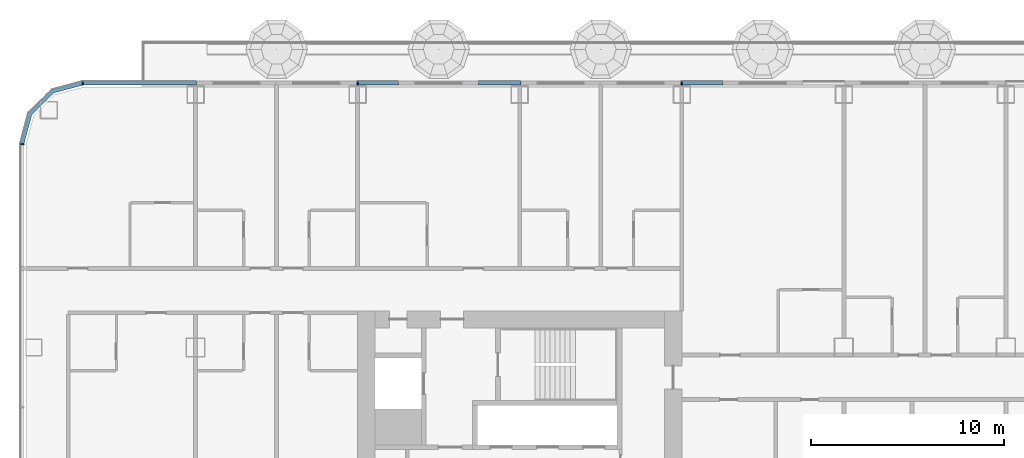
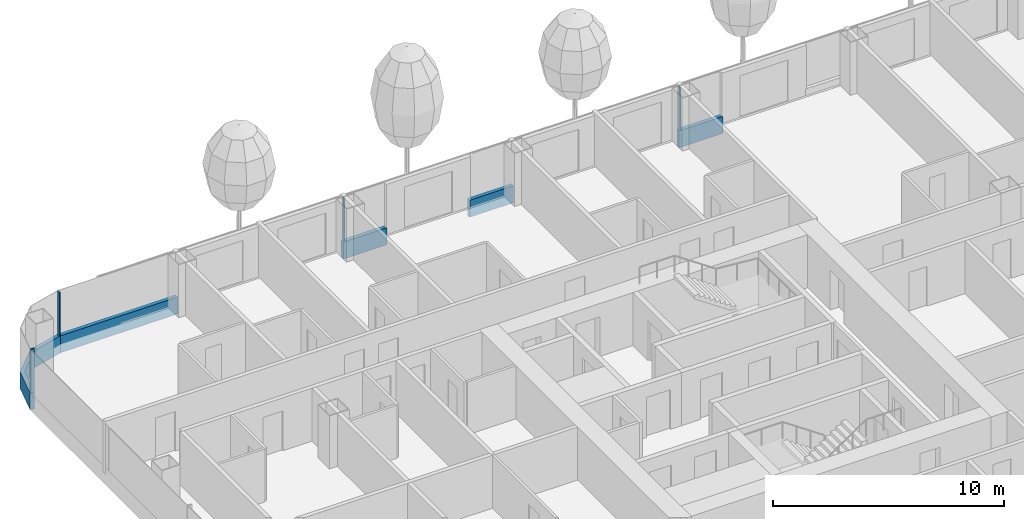
# One storey, part 6 of 36: 9 members, 3 elements without a shape of their own.
"""IFC4 building model written with IfcOpenShell, lengths in metres."""

from ifc_helpers import new_model, si_unit, direction, frame, origin, origin_2d, place, context, subcontext, project, spatial, polyline, rectangle, outline, extrude, material, layer, layer_set, material_profile, profile_set, type_object, element, aggregate, save


model = new_model("IFC4")

# Units and contexts
model_context = context("Model", 3, precision=1e-05, world=origin(), true_north=direction((0.0, 1.0)))
body_context = subcontext(model_context, "Body", "Model", "MODEL_VIEW")
ifc_project = project(units=[si_unit("LENGTHUNIT", "METRE"), si_unit("AREAUNIT", "SQUARE_METRE"), si_unit("VOLUMEUNIT", "CUBIC_METRE"), si_unit("PLANEANGLEUNIT", "RADIAN"), si_unit("MASSUNIT", "GRAM", prefix="KILO")], contexts=[model_context])

# Site, building, storey
site_placement = place(None, origin())
site = spatial("IfcSite", under=ifc_project, at=site_placement, CompositionType="ELEMENT")
building_placement = place(site_placement, origin())
building = spatial("IfcBuilding", under=site, at=building_placement, Name="Hakoniwa Tower and Hamabe Station Hall", CompositionType="ELEMENT")
storey_placement = place(building_placement, frame((0.0, 0.0, 26.199951171875)))
storey = spatial("IfcBuildingStorey", under=building, at=storey_placement, Name="L06", CompositionType="ELEMENT", Elevation=26.199951171875)

# Curtain wall, members
ifc_material_1 = material(Name="Dark low-e laminated glass", Category="glass")
ifc_layer = layer(ifc_material_1, 0.199951171875)
ifc_layer_set = layer_set([ifc_layer], Name="CW-1 UNITISED GUEST")
curtain_wall_type = type_object("IfcCurtainWallType", Name="CW-1 UNITISED GUEST", PredefinedType="NOTDEFINED", material=ifc_layer_set)
curtain_wall_1_placement = place(storey_placement, origin())
curtain_wall_1 = element("IfcCurtainWall", 1, at=curtain_wall_1_placement, inside=storey, type_object=curtain_wall_type, Name="CW-1 curtain wall", PredefinedType="NOTDEFINED")
ifc_material_2 = material(Name="Aluminium 6063-T5 black anodised", Category="aluminium")
ifc_material_profile_1 = material_profile(ifc_material_2, rectangle(XDim=0.199951171875, YDim=0.89990234375, at=origin_2d()), Name="CW SLAB-EDGE BAND 900X200")
ifc_profile_set_1 = profile_set([ifc_material_profile_1], Name="Aluminium 6063-T5 black anodised")
member_type_1 = type_object("IfcMemberType", Name="CW SLAB-EDGE BAND 900X200", PredefinedType="USERDEFINED", material=ifc_profile_set_1)
member_1_placement = place(storey_placement, frame((-14.669921875, 20.199951171875, -0.099853515625), z_axis=(-1.0, 0.0, 0.0), x_axis=(0.0, -1.0, 0.0)))
member_1 = element("IfcMember", 2, at=member_1_placement, type_object=member_type_1, Name="CW-1 transom", ObjectType="TRANSOM", PredefinedType="USERDEFINED", context=body_context, shape_type="SweptSolid", body=[
    extrude(rectangle(XDim=0.199951171875, YDim=0.89990234375, at=origin_2d()), origin(), (0.0, 0.0, 1.0), 2.190185546875),
])
member_2_placement = place(storey_placement, frame((-25.139892578125, 20.199951171875, -0.099853515625), z_axis=(-1.0, 0.0, 0.0), x_axis=(0.0, -1.0, 0.0)))
member_2 = element("IfcMember", 3, at=member_2_placement, type_object=member_type_1, Name="CW-1 transom", ObjectType="TRANSOM", PredefinedType="USERDEFINED", context=body_context, shape_type="SweptSolid", body=[
    extrude(rectangle(XDim=0.199951171875, YDim=0.89990234375, at=origin_2d()), origin(), (0.0, 0.0, 1.0), 2.190185546875),
])
member_3_placement = place(storey_placement, frame((-31.469970703125, 20.199951171875, -0.099853515625), z_axis=(-1.0, 0.0, 0.0), x_axis=(0.0, -1.0, 0.0)))
member_3 = element("IfcMember", 4, at=member_3_placement, type_object=member_type_1, Name="CW-1 transom", ObjectType="TRANSOM", PredefinedType="USERDEFINED", context=body_context, shape_type="SweptSolid", body=[
    extrude(rectangle(XDim=0.199951171875, YDim=0.89990234375, at=origin_2d()), origin(), (0.0, 0.0, 1.0), 2.18994140625),
])
member_4_placement = place(storey_placement, frame((-41.93994140625, 20.199951171875, -0.099853515625), z_axis=(-1.0, 0.0, 0.0), x_axis=(0.0, -1.0, 0.0)))
member_4 = element("IfcMember", 5, at=member_4_placement, type_object=member_type_1, Name="CW-1 transom", ObjectType="TRANSOM", PredefinedType="USERDEFINED", context=body_context, shape_type="SweptSolid", body=[
    extrude(rectangle(XDim=0.199951171875, YDim=0.89990234375, at=origin_2d()), origin(), (0.0, 0.0, 1.0), 5.899658203125),
])

# Curtain wall, member
curtain_wall_2_placement = place(storey_placement, origin())
curtain_wall_2 = element("IfcCurtainWall", 6, at=curtain_wall_2_placement, inside=storey, type_object=curtain_wall_type, Name="CW-1 curtain wall", PredefinedType="NOTDEFINED")
member_5_placement = place(storey_placement, frame((0.0, 0.0, -0.550048828125)))
member_5 = element("IfcMember", 7, at=member_5_placement, type_object=member_type_1, Name="CW-1 transom", ObjectType="TRANSOM", PredefinedType="USERDEFINED", context=body_context, shape_type="SweptSolid", body=[
    extrude(outline(polyline([(-47.839599609375, 20.300048828125), (-49.455322265625, 19.866943359375), (-50.6669921875, 18.6552734375), (-51.10009765625, 17.03955078125), (-50.90673828125, 16.98779296875), (-50.48779296875, 18.5517578125), (-49.351806640625, 19.687744140625), (-47.787841796875, 20.10693359375), (-47.839599609375, 20.300048828125)])), origin(), (0.0, 0.0, 1.0), 0.900146484375),
])
aggregate(curtain_wall_2, [member_5])

# Member
ifc_material_3 = material(Name="Aluminium 6063-T5 black anodised", Category="aluminium")
ifc_material_profile_2 = material_profile(ifc_material_3, rectangle(XDim=0.06005859375, YDim=0.179931640625, at=origin_2d()), Name="CW-1 MULLION 60X180")
ifc_profile_set_2 = profile_set([ifc_material_profile_2], Name="Aluminium 6063-T5 black anodised")
member_type_2 = type_object("IfcMemberType", Name="CW-1 MULLION 60X180", PredefinedType="MULLION", material=ifc_profile_set_2)
member_6_placement = place(storey_placement, frame((-16.800048828125, 20.181884765625, 0.35009765625), z_axis=(0.0, 0.0, 1.0), x_axis=(-1.0, 0.0, 0.0)))
member_6 = element("IfcMember", 8, at=member_6_placement, type_object=member_type_2, Name="CW-1 mullion", PredefinedType="MULLION", context=body_context, shape_type="SweptSolid", body=[
    extrude(rectangle(XDim=0.06005859375, YDim=0.179931640625, at=origin_2d()), origin(), (0.0, 0.0, 1.0), 2.300048828125),
])

member_7_placement = place(storey_placement, frame((-33.60009765625, 20.181884765625, 0.35009765625), z_axis=(0.0, 0.0, 1.0), x_axis=(-1.0, 0.0, 0.0)))
member_7 = element("IfcMember", 9, at=member_7_placement, type_object=member_type_2, Name="CW-1 mullion", PredefinedType="MULLION", context=body_context, shape_type="SweptSolid", body=[
    extrude(rectangle(XDim=0.06005859375, YDim=0.179931640625, at=origin_2d()), origin(), (0.0, 0.0, 1.0), 2.300048828125),
])

member_8_placement = place(storey_placement, frame((-47.839599609375, 20.181884765625, 0.35009765625), z_axis=(0.0, 0.0, 1.0), x_axis=(-1.0, 0.0, 0.0)))
member_8 = element("IfcMember", 10, at=member_8_placement, type_object=member_type_2, Name="CW-1 mullion", PredefinedType="MULLION", context=body_context, shape_type="SweptSolid", body=[
    extrude(rectangle(XDim=0.06005859375, YDim=0.179931640625, at=origin_2d()), origin(), (0.0, 0.0, 1.0), 2.300048828125),
])

aggregate(curtain_wall_1, [member_6, member_7, member_8, member_1, member_2, member_3, member_4])

# Curtain wall, member
curtain_wall_3_placement = place(storey_placement, origin())
curtain_wall_3 = element("IfcCurtainWall", 11, at=curtain_wall_3_placement, inside=storey, type_object=curtain_wall_type, Name="CW-1 curtain wall", PredefinedType="NOTDEFINED")
member_9_placement = place(storey_placement, frame((-50.98193359375, 17.03955078125, 0.35009765625), z_axis=(0.0, 0.0, 1.0), x_axis=(0.0, -1.0, 0.0)))
member_9 = element("IfcMember", 12, at=member_9_placement, type_object=member_type_2, Name="CW-1 mullion", PredefinedType="MULLION", context=body_context, shape_type="SweptSolid", body=[
    extrude(rectangle(XDim=0.06005859375, YDim=0.179931640625, at=origin_2d()), origin(), (0.0, 0.0, 1.0), 2.300048828125),
])
aggregate(curtain_wall_3, [member_9])

save(model, "model.ifc")
